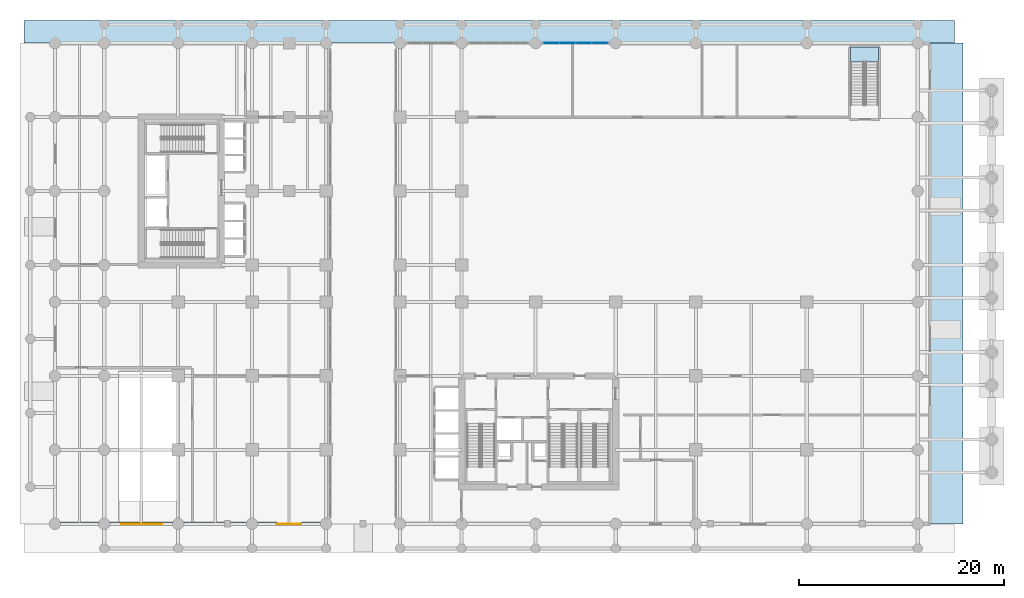
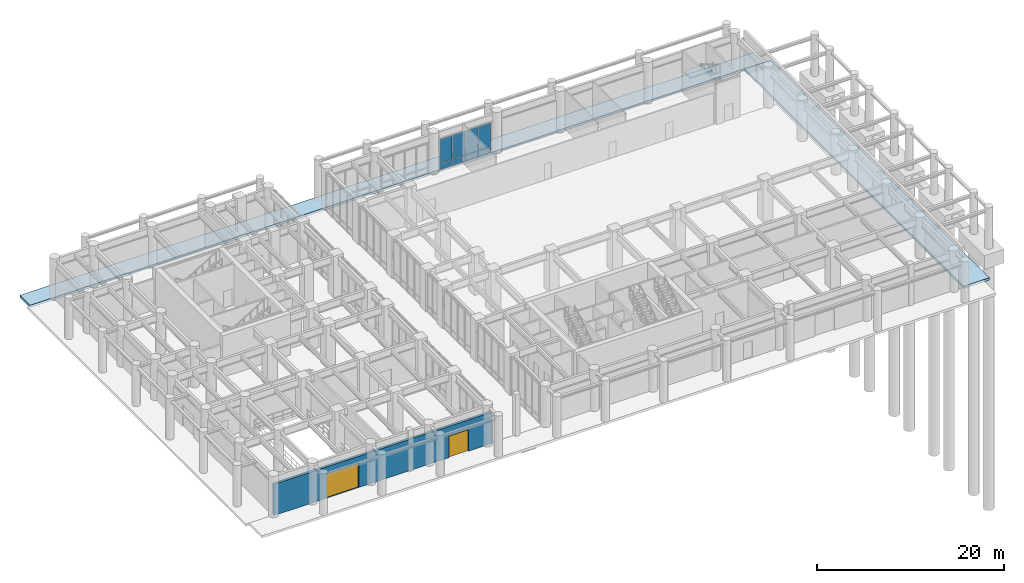
# One storey, part 13 of 23: 8 plates, 3 slabs, 2 doors, 1 wall, 2 openings, 2 elements without a shape of their own.
"""IFC4 building model written with IfcOpenShell, lengths in metres."""

from ifc_helpers import new_model, si_unit, derived_unit, direction, frame, frame_2d, origin, origin_2d, place, context, subcontext, project, spatial, polyline, rectangle, outline, extrude, source, transform, mapped, material, layer, layer_set, type_object, type_shapes, element, fill, aggregate, save


model = new_model("IFC4")

# Units and contexts
model_context = context("Model", 3, precision=1e-05, world=origin(), true_north=direction((0.0, 1.0)))
body_context = subcontext(model_context, "Body", "Model", "MODEL_VIEW")
ifc_project = project(units=[si_unit("LENGTHUNIT", "METRE"), si_unit("AREAUNIT", "SQUARE_METRE"), si_unit("VOLUMEUNIT", "CUBIC_METRE"), si_unit("PLANEANGLEUNIT", "RADIAN"), si_unit("MASSUNIT", "GRAM", prefix="KILO"), si_unit("THERMODYNAMICTEMPERATUREUNIT", "KELVIN"), si_unit("POWERUNIT", "WATT"), derived_unit("THERMALTRANSMITTANCEUNIT", [(si_unit("POWERUNIT", "WATT"), 1), (si_unit("AREAUNIT", "SQUARE_METRE"), -1), (si_unit("THERMODYNAMICTEMPERATUREUNIT", "KELVIN"), -1)])], contexts=[model_context])

# Site, building, storey
site_placement = place(None, origin())
site = spatial("IfcSite", under=ifc_project, at=site_placement, CompositionType="ELEMENT")
building_placement = place(site_placement, origin())
building = spatial("IfcBuilding", under=site, at=building_placement, Name="Zahravan Archway Hotel and Residences", CompositionType="ELEMENT")
storey_placement = place(building_placement, origin())
storey = spatial("IfcBuildingStorey", under=building, at=storey_placement, Name="L00", CompositionType="ELEMENT", Elevation=0.0)

# Slabs
ifc_material_1 = material(Name="Concrete C50/60", Category="concrete")
ifc_layer_1 = layer(ifc_material_1, 0.300048828125, Name="Concrete C50/60", Category="concrete")
ifc_layer_set_1 = layer_set([ifc_layer_1], Name="Concrete C50/60")
slab_type_1 = type_object("IfcSlabType", Name="SLB-FLR-300", PredefinedType="FLOOR", material=ifc_layer_set_1)
slab_1_placement = place(storey_placement, frame((0.0, 0.0, -0.300048828125)))
element("IfcSlab", 1, at=slab_1_placement, inside=storey, type_object=slab_type_1, Name="East Porte-Cochere Plaza Slab", PredefinedType="BASESLAB", context=body_context, shape_type="SweptSolid", body=[
    extrude(outline(polyline([(80.419921875, -0.02001953125), (83.60009765625, -0.02001953125), (83.60009765625, 46.800048828125), (80.419921875, 46.800048828125), (80.419921875, -0.02001953125)])), origin(), (0.0, 0.0, 1.0), 0.300048828125),
])
slab_2_placement = place(storey_placement, frame((0.0, 0.0, -0.300048828125)))
element("IfcSlab", 2, at=slab_2_placement, inside=storey, type_object=slab_type_1, Name="North Station Forecourt Apron Slab", PredefinedType="BASESLAB", context=body_context, shape_type="SweptSolid", body=[
    extrude(outline(polyline([(-7.800048828125, 46.820068359375), (82.800048828125, 46.820068359375), (82.800048828125, 49.0), (-7.800048828125, 49.0), (-7.800048828125, 46.820068359375)])), origin(), (0.0, 0.0, 1.0), 0.300048828125),
])

# Stair, slab
stair_type = type_object("IfcStairType", Name="STR-CORE-1300", PredefinedType="HALF_TURN_STAIR", material=ifc_material_1)
stair_placement = place(storey_placement, origin())
stair = element("IfcStair", 3, at=stair_placement, inside=storey, type_object=stair_type, Name="L00 East Station Galleria Exit Stair", PredefinedType="HALF_TURN_STAIR")
ifc_layer_2 = layer(ifc_material_1, 0.199951171875, Name="Concrete C50/60", Category="concrete")
ifc_layer_set_2 = layer_set([ifc_layer_2], Name="Concrete C50/60")
slab_type_2 = type_object("IfcSlabType", Name="SLB-LND-200", PredefinedType="LANDING", material=ifc_layer_set_2)
slab_3_placement = place(storey_placement, frame((0.0, 0.0, 2.5)))
slab_3 = element("IfcSlab", 4, at=slab_3_placement, type_object=slab_type_2, Name="ST-P1 landing 1", PredefinedType="LANDING", context=body_context, shape_type="SweptSolid", body=[
    extrude(outline(polyline([(75.39990234375, 44.969970703125), (75.39990234375, 46.39990234375), (72.659912109375, 46.39990234375), (72.659912109375, 44.969970703125), (75.39990234375, 44.969970703125)])), origin(), (0.0, 0.0, 1.0), 0.199951171875),
])
aggregate(stair, [slab_3])

# Curtain wall, plates
ifc_material_2 = material(Name="Bronze-Anodized Unitised Aluminium & Low-E Glass", Category="aluminium")
ifc_layer_3 = layer(ifc_material_2, 0.179931640625, Name="Bronze-Anodized Unitised Aluminium & Low-E Glass", Category="aluminium")
ifc_layer_set_3 = layer_set([ifc_layer_3], Name="Bronze-Anodized Unitised Aluminium & Low-E Glass")
curtain_wall_type = type_object("IfcCurtainWallType", Name="CW-POD-ARCH", PredefinedType="NOTDEFINED", material=ifc_layer_set_3)
curtain_wall_placement = place(storey_placement, origin())
curtain_wall = element("IfcCurtainWall", 5, at=curtain_wall_placement, inside=storey, type_object=curtain_wall_type, Name="L00 Curtain Wall CW-POD-L00-3", PredefinedType="NOTDEFINED")
ifc_material_3 = material(Name="Insulated Terracotta Spandrel Panel", Category="masonry")
ifc_layer_4 = layer(ifc_material_3, 0.0400390625, Name="Insulated Terracotta Spandrel Panel", Category="masonry")
ifc_layer_set_4 = layer_set([ifc_layer_4], Name="Insulated Terracotta Spandrel Panel")
plate_type_1 = type_object("IfcPlateType", Name="CWP-SPN-40", PredefinedType="SHEET", material=ifc_layer_set_4)
shared_shape_1 = source(origin(), body_context, "Body", "SweptSolid", [
    extrude(rectangle(XDim=1.489990234375, YDim=0.0400390625, at=origin_2d()), origin(), (0.0, 0.0, 1.0), 0.7099609375),
])
plate_1_placement = place(storey_placement, frame((43.544921875, 46.800048828125, 0.10009765625), z_axis=(0.0, 0.0, 1.0), x_axis=(1.0, 0.0, 0.0)))
plate_1 = element("IfcPlate", 6, at=plate_1_placement, type_object=plate_type_1, Name="CW-POD-L00-3 Spandrel Panel 0", PredefinedType="SHEET", context=body_context, shape_type="MappedRepresentation", body=[
    mapped(shared_shape_1, transform((0.0, 0.0, 0.0), scale=1.0)),
])
plate_2_placement = place(storey_placement, frame((45.114990234375, 46.800048828125, 0.10009765625), z_axis=(0.0, 0.0, 1.0), x_axis=(1.0, 0.0, 0.0)))
plate_2 = element("IfcPlate", 7, at=plate_2_placement, type_object=plate_type_1, Name="CW-POD-L00-3 Spandrel Panel 1", PredefinedType="SHEET", context=body_context, shape_type="MappedRepresentation", body=[
    mapped(shared_shape_1, transform((0.0, 0.0, 0.0), scale=1.0)),
])
plate_3_placement = place(storey_placement, frame((46.68505859375, 46.800048828125, 0.10009765625), z_axis=(0.0, 0.0, 1.0), x_axis=(1.0, 0.0, 0.0)))
plate_3 = element("IfcPlate", 8, at=plate_3_placement, type_object=plate_type_1, Name="CW-POD-L00-3 Spandrel Panel 2", PredefinedType="SHEET", context=body_context, shape_type="MappedRepresentation", body=[
    mapped(shared_shape_1, transform((0.0, 0.0, 0.0), scale=1.0)),
])
plate_4_placement = place(storey_placement, frame((48.2548828125, 46.800048828125, 0.10009765625), z_axis=(0.0, 0.0, 1.0), x_axis=(1.0, 0.0, 0.0)))
plate_4 = element("IfcPlate", 9, at=plate_4_placement, type_object=plate_type_1, Name="CW-POD-L00-3 Spandrel Panel 3", PredefinedType="SHEET", context=body_context, shape_type="MappedRepresentation", body=[
    mapped(shared_shape_1, transform((0.0, 0.0, 0.0), scale=1.0)),
])
ifc_material_4 = material(Name="Double-Silver Low-E Insulated Vision Glass", Category="glass")
ifc_layer_5 = layer(ifc_material_4, 0.028076171875, Name="Double-Silver Low-E Insulated Vision Glass", Category="glass")
ifc_layer_set_5 = layer_set([ifc_layer_5], Name="Double-Silver Low-E Insulated Vision Glass")
plate_type_2 = type_object("IfcPlateType", Name="CWP-GLZ-28", PredefinedType="CURTAIN_PANEL", material=ifc_layer_set_5)
shared_shape_2 = source(origin(), body_context, "Body", "SweptSolid", [
    extrude(rectangle(XDim=1.489990234375, YDim=0.028076171875, at=origin_2d()), origin(), (0.0, 0.0, 1.0), 3.094970703125),
])
plate_5_placement = place(storey_placement, frame((43.544921875, 46.800048828125, 0.89013671875), z_axis=(0.0, 0.0, 1.0), x_axis=(1.0, 0.0, 0.0)))
plate_5 = element("IfcPlate", 10, at=plate_5_placement, type_object=plate_type_2, Name="CW-POD-L00-3 Low-E Vision Panel 0", PredefinedType="CURTAIN_PANEL", context=body_context, shape_type="MappedRepresentation", body=[
    mapped(shared_shape_2, transform((0.0, 0.0, 0.0), scale=1.0)),
])
plate_6_placement = place(storey_placement, frame((45.114990234375, 46.800048828125, 0.89013671875), z_axis=(0.0, 0.0, 1.0), x_axis=(1.0, 0.0, 0.0)))
plate_6 = element("IfcPlate", 11, at=plate_6_placement, type_object=plate_type_2, Name="CW-POD-L00-3 Low-E Vision Panel 1", PredefinedType="CURTAIN_PANEL", context=body_context, shape_type="MappedRepresentation", body=[
    mapped(shared_shape_2, transform((0.0, 0.0, 0.0), scale=1.0)),
])
plate_7_placement = place(storey_placement, frame((46.68505859375, 46.800048828125, 0.89013671875), z_axis=(0.0, 0.0, 1.0), x_axis=(1.0, 0.0, 0.0)))
plate_7 = element("IfcPlate", 12, at=plate_7_placement, type_object=plate_type_2, Name="CW-POD-L00-3 Low-E Vision Panel 2", PredefinedType="CURTAIN_PANEL", context=body_context, shape_type="MappedRepresentation", body=[
    mapped(shared_shape_2, transform((0.0, 0.0, 0.0), scale=1.0)),
])
plate_8_placement = place(storey_placement, frame((48.2548828125, 46.800048828125, 0.89013671875), z_axis=(0.0, 0.0, 1.0), x_axis=(1.0, 0.0, 0.0)))
plate_8 = element("IfcPlate", 13, at=plate_8_placement, type_object=plate_type_2, Name="CW-POD-L00-3 Low-E Vision Panel 3", PredefinedType="CURTAIN_PANEL", context=body_context, shape_type="MappedRepresentation", body=[
    mapped(shared_shape_2, transform((0.0, 0.0, 0.0), scale=1.0)),
])
aggregate(curtain_wall, [plate_1, plate_5, plate_2, plate_6, plate_3, plate_7, plate_4, plate_8])

# Wall, openings, doors
ifc_material_5 = material(Name="Agra Buff Sandstone & Insulated Backup", Category="masonry")
ifc_layer_6 = layer(ifc_material_5, 0.320068359375, Name="Agra Buff Sandstone & Insulated Backup", Category="masonry")
ifc_layer_set_6 = layer_set([ifc_layer_6], Name="Agra Buff Sandstone & Insulated Backup")
wall_type = type_object("IfcWallType", Name="EW-SAND-320", PredefinedType="SOLIDWALL", material=ifc_layer_set_6)
wall_placement = place(storey_placement, frame((-4.800048828125, 0.0, 0.0), z_axis=(0.0, 0.0, 1.0), x_axis=(1.0, 0.0, 0.0)))
wall = element("IfcWall", 14, at=wall_placement, inside=storey, type_object=wall_type, Name="L00 Podium Sandstone S Wall", PredefinedType="SOLIDWALL", context=body_context, shape_type="SweptSolid", body=[
    extrude(rectangle(XDim=26.85009765625, YDim=0.320068359375, at=frame_2d((13.425048828125, 0.0))), origin(), (0.0, 0.0, 1.0), 4.0849609375),
])
opening_1_placement = place(wall_placement, frame((6.449951171875, 0.0, 0.0)))
opening_1 = element("IfcOpeningElement", 15, at=opening_1_placement, cuts=wall, Name="Opening VG-1", PredefinedType="OPENING", context=body_context, shape_type="SweptSolid", body=[
    extrude(rectangle(XDim=4.0, YDim=3.199951171875, at=frame_2d((2.0, 1.60009765625))), frame((0.0, 0.169921875, 0.0), z_axis=(0.0, -1.0, 0.0), x_axis=(1.0, 0.0, 0.0)), (0.0, 0.0, 1.0), 0.340087890625),
])
opening_2_placement = place(wall_placement, frame((21.60009765625, 0.0, 0.0)))
opening_2 = element("IfcOpeningElement", 16, at=opening_2_placement, cuts=wall, Name="Opening ED-M1", PredefinedType="OPENING", context=body_context, shape_type="SweptSolid", body=[
    extrude(rectangle(XDim=2.39990234375, YDim=2.800048828125, at=frame_2d((1.199951171875, 1.39990234375))), frame((0.0, 0.169921875, 0.0), z_axis=(0.0, -1.0, 0.0), x_axis=(1.0, 0.0, 0.0)), (0.0, 0.0, 1.0), 0.340087890625),
])
ifc_material_6 = material(Name="Perforated Powder-Coated Steel", Category="steel")
door_type_1 = type_object("IfcDoorType", Name="VG-SHUTTER-6000", OperationType="ROLLINGUP", PredefinedType="GATE", material=ifc_material_6)
shared_shape_3 = source(origin(), body_context, "Body", "SweptSolid", [
    extrude(rectangle(XDim=4.0, YDim=3.199951171875, at=frame_2d((2.0, 1.60009765625))), frame((0.0, 0.02490234375, 0.0), z_axis=(0.0, -1.0, 0.0), x_axis=(1.0, 0.0, 0.0)), (0.0, 0.0, 1.0), 0.050048828125),
])
type_shapes(door_type_1, [shared_shape_3])
door_1_placement = place(opening_1_placement, frame((4.0, 0.0, 0.0), z_axis=(0.0, 0.0, 1.0), x_axis=(-1.0, 0.0, 0.0)))
door_1 = element("IfcDoor", 17, at=door_1_placement, inside=storey, type_object=door_type_1, Name="L00 Car Park Ramp Security Rolling Gate VG-1", OperationType="ROLLINGUP", OverallHeight=3.199951171875, OverallWidth=4.0, PredefinedType="GATE", context=body_context, shape_type="MappedRepresentation", body=[
    mapped(shared_shape_3, transform((0.0, 0.0, 0.0), scale=1.0)),
])
fill(opening_1, door_1)
ifc_material_7 = material(Name="Bronze-Anodized Glazed Aluminium", Category="aluminium")
door_type_2 = type_object("IfcDoorType", Name="ED-ENTRY-2400", OperationType="DOUBLE_DOOR_SINGLE_SWING", PredefinedType="DOOR", material=ifc_material_7)
shared_shape_4 = source(origin(), body_context, "Body", "SweptSolid", [
    extrude(rectangle(XDim=2.39990234375, YDim=2.800048828125, at=frame_2d((1.199951171875, 1.39990234375))), frame((0.0, 0.02490234375, 0.0), z_axis=(0.0, -1.0, 0.0), x_axis=(1.0, 0.0, 0.0)), (0.0, 0.0, 1.0), 0.050048828125),
])
type_shapes(door_type_2, [shared_shape_4])
door_2_placement = place(opening_2_placement, frame((2.39990234375, 0.0, 0.0), z_axis=(0.0, 0.0, 1.0), x_axis=(-1.0, 0.0, 0.0)))
door_2 = element("IfcDoor", 18, at=door_2_placement, inside=storey, type_object=door_type_2, Name="L00 Hotel Grand Entrance Doors", OperationType="DOUBLE_DOOR_SINGLE_SWING", OverallHeight=2.800048828125, OverallWidth=2.39990234375, PredefinedType="DOOR", context=body_context, shape_type="MappedRepresentation", body=[
    mapped(shared_shape_4, transform((0.0, 0.0, 0.0), scale=1.0)),
])
fill(opening_2, door_2)

save(model, "model.ifc")
